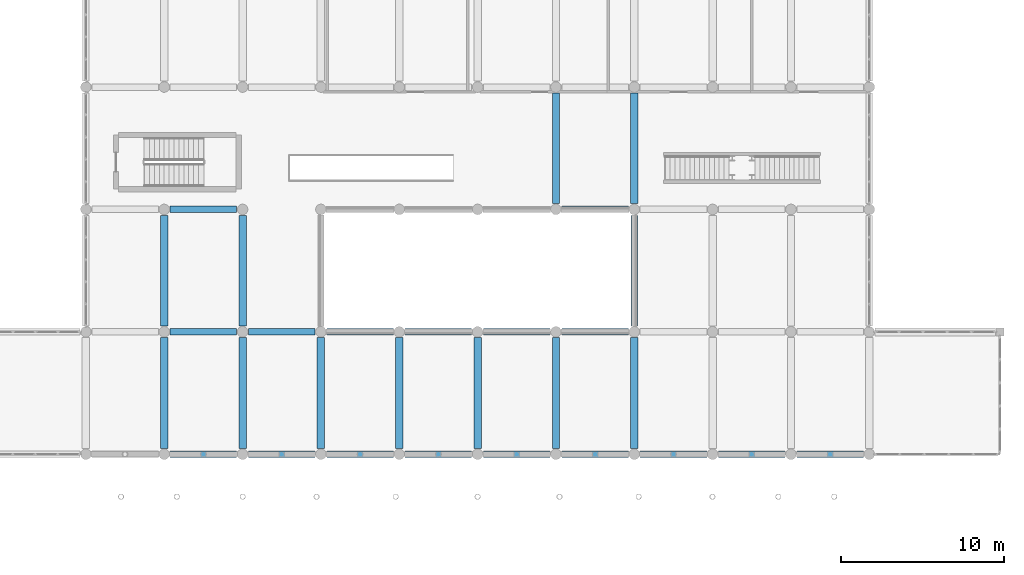
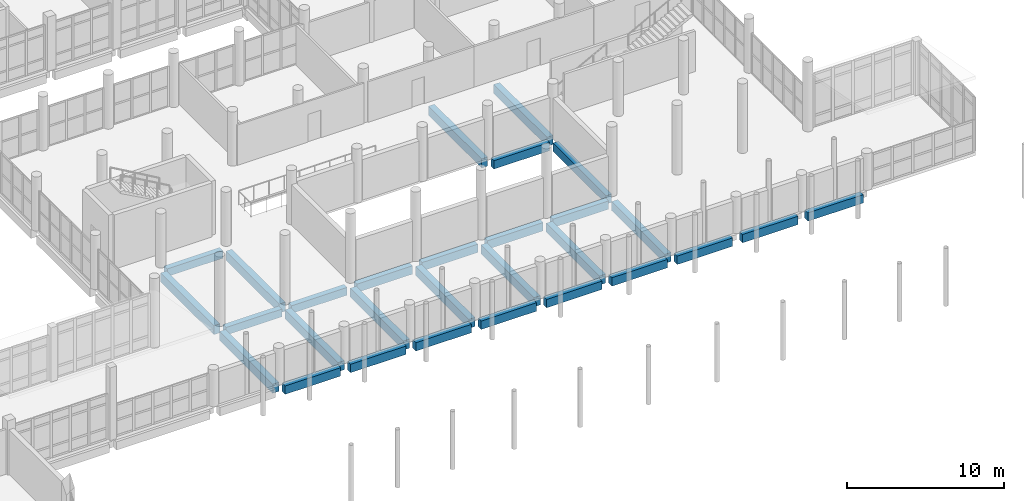
# One storey, part 56 of 164: 29 beams.
"""IFC4 building model written with IfcOpenShell, lengths in metres."""

from ifc_helpers import new_model, si_unit, direction, frame, origin, origin_2d, place, context, subcontext, project, spatial, rectangle, extrude, material, material_profile, profile_set, type_object, element, save


model = new_model("IFC4")

# Units and contexts
model_context = context("Model", 3, precision=1e-05, world=origin(), true_north=direction((0.0, 1.0)))
body_context = subcontext(model_context, "Body", "Model", "MODEL_VIEW")
ifc_project = project(units=[si_unit("LENGTHUNIT", "METRE"), si_unit("AREAUNIT", "SQUARE_METRE"), si_unit("VOLUMEUNIT", "CUBIC_METRE"), si_unit("PLANEANGLEUNIT", "RADIAN"), si_unit("MASSUNIT", "GRAM", prefix="KILO")], contexts=[model_context])

# Site, building, storey
site_placement = place(None, origin())
site = spatial("IfcSite", under=ifc_project, at=site_placement, CompositionType="ELEMENT")
building_placement = place(site_placement, origin())
building = spatial("IfcBuilding", under=site, at=building_placement, Name="Mawjan Specialist Oncology Clinic", CompositionType="ELEMENT")
storey_placement = place(building_placement, frame((0.0, 0.0, 5.0)))
storey = spatial("IfcBuildingStorey", under=building, at=storey_placement, Name="L01", CompositionType="ELEMENT", Elevation=5.0)

# Beams
ifc_material_1 = material(Name="Concrete C40/50", Category="concrete")
ifc_material_profile_1 = material_profile(ifc_material_1, rectangle(XDim=0.39990234375, YDim=0.60009765625, at=origin_2d()), Name="RC BM 400x600", Category="concrete")
ifc_profile_set_1 = profile_set([ifc_material_profile_1], Name="Concrete C40/50")
beam_type_1 = type_object("IfcBeamType", Name="BM-400x600", PredefinedType="BEAM", material=ifc_profile_set_1)
for number, where, z_axis, x_axis, name in (
    (1, (65.159912109375, 53.300048828125, -0.60009765625), (1.0, 0.0, 0.0), (0.0, 1.0, 0.0), "L01 Collector Beam BM-L01-0281"),
    (2, (69.9599609375, 53.300048828125, -0.60009765625), (1.0, 0.0, 0.0), (0.0, 1.0, 0.0), "L01 Collector Beam BM-L01-0282"),
    (3, (65.159912109375, 60.800048828125, -0.60009765625), (1.0, 0.0, 0.0), (0.0, 1.0, 0.0), "L01 Collector Beam BM-L01-0298"),
):
    element("IfcBeam", number, at=place(storey_placement, frame(where, z_axis=z_axis, x_axis=x_axis)), inside=storey, type_object=beam_type_1, Name=name, PredefinedType="BEAM", context=body_context, shape_type="SweptSolid", body=[
        extrude(rectangle(XDim=0.39990234375, YDim=0.60009765625, at=origin_2d()), origin(), (0.0, 0.0, 1.0), 4.080078125),
    ])
ifc_material_2 = material(Name="Concrete C40/50", Category="concrete")
ifc_material_profile_2 = material_profile(ifc_material_2, rectangle(XDim=0.449951171875, YDim=0.699951171875, at=origin_2d()), Name="RC BM 450x700", Category="concrete")
ifc_profile_set_2 = profile_set([ifc_material_profile_2], Name="Concrete C40/50")
beam_type_2 = type_object("IfcBeamType", Name="BM-450x700", PredefinedType="BEAM", material=ifc_profile_set_2)
for number, where, z_axis, x_axis, name in (
    (4, (64.800048828125, 46.159912109375, -0.64990234375), (0.0, 1.0, 0.0), (-1.0, 0.0, 0.0), "L01 Collector Beam BM-L01-0495"),
    (5, (64.800048828125, 53.659912109375, -0.64990234375), (0.0, 1.0, 0.0), (-1.0, 0.0, 0.0), "L01 Collector Beam BM-L01-0496"),
    (6, (69.60009765625, 46.159912109375, -0.64990234375), (0.0, 1.0, 0.0), (-1.0, 0.0, 0.0), "L01 Collector Beam BM-L01-0501"),
    (7, (69.60009765625, 53.659912109375, -0.64990234375), (0.0, 1.0, 0.0), (-1.0, 0.0, 0.0), "L01 Collector Beam BM-L01-0502"),
    (8, (74.39990234375, 46.159912109375, -0.64990234375), (0.0, 1.0, 0.0), (-1.0, 0.0, 0.0), "L01 Collector Beam BM-L01-0508"),
    (9, (79.199951171875, 46.159912109375, -0.64990234375), (0.0, 1.0, 0.0), (-1.0, 0.0, 0.0), "L01 Collector Beam BM-L01-0514"),
    (10, (84.0, 46.159912109375, -0.64990234375), (0.0, 1.0, 0.0), (-1.0, 0.0, 0.0), "L01 Collector Beam BM-L01-0520"),
    (11, (88.800048828125, 46.159912109375, -0.64990234375), (0.0, 1.0, 0.0), (-1.0, 0.0, 0.0), "L01 Collector Beam BM-L01-0527"),
    (12, (88.800048828125, 61.159912109375, -0.64990234375), (0.0, 1.0, 0.0), (-1.0, 0.0, 0.0), "L01 Collector Beam BM-L01-0528"),
    (13, (93.60009765625, 46.159912109375, -0.64990234375), (0.0, 1.0, 0.0), (-1.0, 0.0, 0.0), "L01 Collector Beam BM-L01-0534"),
    (14, (93.60009765625, 61.159912109375, -0.64990234375), (0.0, 1.0, 0.0), (-1.0, 0.0, 0.0), "L01 Collector Beam BM-L01-0536"),
):
    element("IfcBeam", number, at=place(storey_placement, frame(where, z_axis=z_axis, x_axis=x_axis)), inside=storey, type_object=beam_type_2, Name=name, PredefinedType="BEAM", context=body_context, shape_type="SweptSolid", body=[
        extrude(rectangle(XDim=0.449951171875, YDim=0.699951171875, at=origin_2d()), origin(), (0.0, 0.0, 1.0), 6.780029296875),
    ])
ifc_material_3 = material(Name="Concrete C45/55", Category="concrete")
ifc_material_profile_3 = material_profile(ifc_material_3, rectangle(XDim=0.39990234375, YDim=0.64990234375, at=origin_2d()), Name="RC BM 400x650", Category="concrete")
ifc_profile_set_3 = profile_set([ifc_material_profile_3], Name="Concrete C45/55")
beam_type_3 = type_object("IfcBeamType", Name="SP-400x650", PredefinedType="SPANDREL", material=ifc_profile_set_3)
for number, where, z_axis, x_axis, name in (
    (15, (65.159912109375, 45.800048828125, -0.625), (1.0, 0.0, 0.0), (0.0, 1.0, 0.0), "L01 Spandrel Beam BM-L01-0265"),
    (16, (69.9599609375, 45.800048828125, -0.625), (1.0, 0.0, 0.0), (0.0, 1.0, 0.0), "L01 Spandrel Beam BM-L01-0266"),
    (17, (74.760009765625, 45.800048828125, -0.625), (1.0, 0.0, 0.0), (0.0, 1.0, 0.0), "L01 Spandrel Beam BM-L01-0267"),
):
    element("IfcBeam", number, at=place(storey_placement, frame(where, z_axis=z_axis, x_axis=x_axis)), inside=storey, type_object=beam_type_3, Name=name, PredefinedType="SPANDREL", context=body_context, shape_type="SweptSolid", body=[
        extrude(rectangle(XDim=0.39990234375, YDim=0.64990234375, at=origin_2d()), origin(), (0.0, 0.0, 1.0), 4.080078125),
    ])
for number, where, z_axis, x_axis, name in (
    (18, (79.56005859375, 45.800048828125, -0.625), (1.0, 0.0, 0.0), (0.0, 1.0, 0.0), "L01 Spandrel Beam BM-L01-0268"),
    (19, (84.360107421875, 45.800048828125, -0.625), (1.0, 0.0, 0.0), (0.0, 1.0, 0.0), "L01 Spandrel Beam BM-L01-0269"),
):
    element("IfcBeam", number, at=place(storey_placement, frame(where, z_axis=z_axis, x_axis=x_axis)), inside=storey, type_object=beam_type_3, Name=name, PredefinedType="SPANDREL", context=body_context, shape_type="SweptSolid", body=[
        extrude(rectangle(XDim=0.39990234375, YDim=0.64990234375, at=origin_2d()), origin(), (0.0, 0.0, 1.0), 4.079833984375),
    ])
for number, where, z_axis, x_axis, name in (
    (20, (89.159912109375, 45.800048828125, -0.625), (1.0, 0.0, 0.0), (0.0, 1.0, 0.0), "L01 Spandrel Beam BM-L01-0270"),
    (21, (93.9599609375, 45.800048828125, -0.625), (1.0, 0.0, 0.0), (0.0, 1.0, 0.0), "L01 Spandrel Beam BM-L01-0271"),
    (22, (98.760009765625, 45.800048828125, -0.625), (1.0, 0.0, 0.0), (0.0, 1.0, 0.0), "L01 Spandrel Beam BM-L01-0272"),
):
    element("IfcBeam", number, at=place(storey_placement, frame(where, z_axis=z_axis, x_axis=x_axis)), inside=storey, type_object=beam_type_3, Name=name, PredefinedType="SPANDREL", context=body_context, shape_type="SweptSolid", body=[
        extrude(rectangle(XDim=0.39990234375, YDim=0.64990234375, at=origin_2d()), origin(), (0.0, 0.0, 1.0), 4.080078125),
    ])
beam_1_placement = place(storey_placement, frame((103.56005859375, 45.800048828125, -0.625), z_axis=(1.0, 0.0, 0.0), x_axis=(0.0, 1.0, 0.0)))
element("IfcBeam", 23, at=beam_1_placement, inside=storey, type_object=beam_type_3, Name="L01 Spandrel Beam BM-L01-0273", PredefinedType="SPANDREL", context=body_context, shape_type="SweptSolid", body=[
    extrude(rectangle(XDim=0.39990234375, YDim=0.64990234375, at=origin_2d()), origin(), (0.0, 0.0, 1.0), 4.079833984375),
])
beam_2_placement = place(storey_placement, frame((74.760009765625, 53.300048828125, -0.625), z_axis=(1.0, 0.0, 0.0), x_axis=(0.0, 1.0, 0.0)))
element("IfcBeam", 24, at=beam_2_placement, inside=storey, type_object=beam_type_3, Name="L01 Spandrel Beam BM-L01-0283", PredefinedType="SPANDREL", context=body_context, shape_type="SweptSolid", body=[
    extrude(rectangle(XDim=0.39990234375, YDim=0.64990234375, at=origin_2d()), origin(), (0.0, 0.0, 1.0), 4.080078125),
])
for number, where, z_axis, x_axis, name in (
    (25, (79.56005859375, 53.300048828125, -0.625), (1.0, 0.0, 0.0), (0.0, 1.0, 0.0), "L01 Spandrel Beam BM-L01-0284"),
    (26, (84.360107421875, 53.300048828125, -0.625), (1.0, 0.0, 0.0), (0.0, 1.0, 0.0), "L01 Spandrel Beam BM-L01-0285"),
):
    element("IfcBeam", number, at=place(storey_placement, frame(where, z_axis=z_axis, x_axis=x_axis)), inside=storey, type_object=beam_type_3, Name=name, PredefinedType="SPANDREL", context=body_context, shape_type="SweptSolid", body=[
        extrude(rectangle(XDim=0.39990234375, YDim=0.64990234375, at=origin_2d()), origin(), (0.0, 0.0, 1.0), 4.079833984375),
    ])
for number, where, z_axis, x_axis, name in (
    (27, (89.159912109375, 53.300048828125, -0.625), (1.0, 0.0, 0.0), (0.0, 1.0, 0.0), "L01 Spandrel Beam BM-L01-0286"),
    (28, (89.159912109375, 60.800048828125, -0.625), (1.0, 0.0, 0.0), (0.0, 1.0, 0.0), "L01 Spandrel Beam BM-L01-0299"),
):
    element("IfcBeam", number, at=place(storey_placement, frame(where, z_axis=z_axis, x_axis=x_axis)), inside=storey, type_object=beam_type_3, Name=name, PredefinedType="SPANDREL", context=body_context, shape_type="SweptSolid", body=[
        extrude(rectangle(XDim=0.39990234375, YDim=0.64990234375, at=origin_2d()), origin(), (0.0, 0.0, 1.0), 4.080078125),
    ])
beam_3_placement = place(storey_placement, frame((93.60009765625, 53.659912109375, -0.625), z_axis=(0.0, 1.0, 0.0), x_axis=(-1.0, 0.0, 0.0)))
element("IfcBeam", 29, at=beam_3_placement, inside=storey, type_object=beam_type_3, Name="L01 Spandrel Beam BM-L01-0535", PredefinedType="SPANDREL", context=body_context, shape_type="SweptSolid", body=[
    extrude(rectangle(XDim=0.39990234375, YDim=0.64990234375, at=origin_2d()), origin(), (0.0, 0.0, 1.0), 6.780029296875),
])

save(model, "model.ifc")
